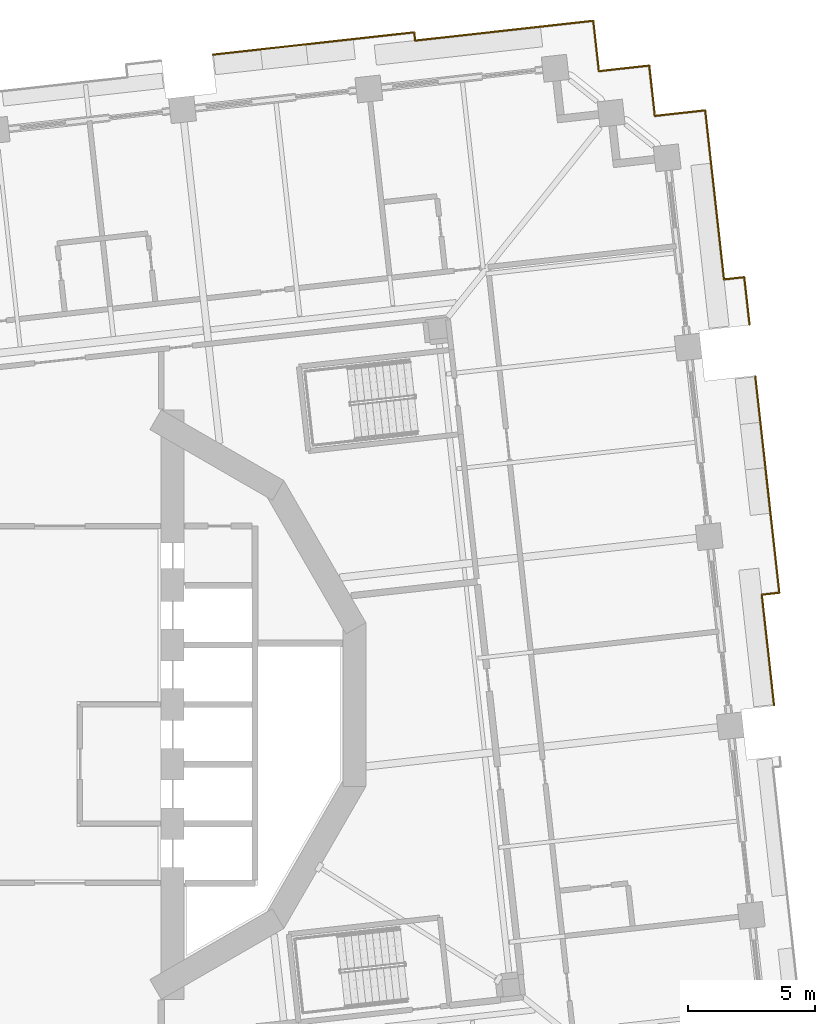
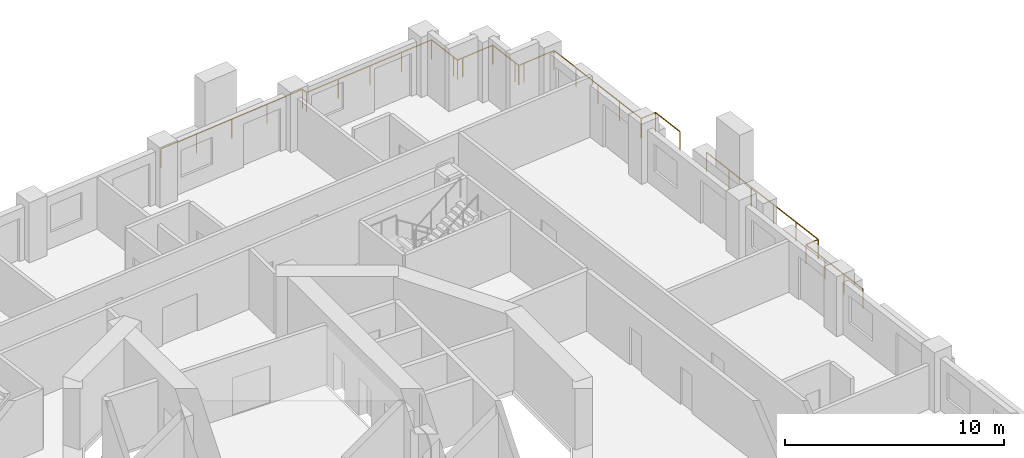
# One storey, part 20 of 21: 3 railings.
"""IFC4 building model written with IfcOpenShell, lengths in metres."""

from ifc_helpers import new_model, si_unit, direction, frame, origin, origin_2d, place, context, subcontext, project, spatial, circle, extrude, material, type_object, element, save


model = new_model("IFC4")

# Units and contexts
model_context = context("Model", 3, precision=1e-05, world=origin(), true_north=direction((0.0, 1.0)))
body_context = subcontext(model_context, "Body", "Model", "MODEL_VIEW")
ifc_project = project(units=[si_unit("LENGTHUNIT", "METRE"), si_unit("AREAUNIT", "SQUARE_METRE"), si_unit("VOLUMEUNIT", "CUBIC_METRE"), si_unit("PLANEANGLEUNIT", "RADIAN"), si_unit("MASSUNIT", "GRAM", prefix="KILO")], contexts=[model_context])

# Site, building, storey
site_placement = place(None, origin())
site = spatial("IfcSite", under=ifc_project, at=site_placement, CompositionType="ELEMENT")
building_placement = place(site_placement, origin())
building = spatial("IfcBuilding", under=site, at=building_placement, Name="Cantera Rosa Tower", CompositionType="ELEMENT")
storey_placement = place(building_placement, frame((0.0, 0.0, 80.5)))
storey = spatial("IfcBuildingStorey", under=building, at=storey_placement, Name="L17", CompositionType="ELEMENT", Elevation=80.5)

# Railings
ifc_material = material(Name="Stainless steel and laminated glass", Category="steel")
railing_type = type_object("IfcRailingType", Name="GUARD 1100", PredefinedType="BALUSTRADE", material=ifc_material)
railing_1_placement = place(storey_placement, frame((27.44482421875, 12.95654296875, 0.0)))
element("IfcRailing", 1, at=railing_1_placement, inside=storey, type_object=railing_type, Name="GUARD L17-11", PredefinedType="BALUSTRADE", context=body_context, shape_type="SweptSolid", body=[
    extrude(circle(Radius=0.030029296875, at=origin_2d()), frame((0.0, 0.0, 1.070068359375), z_axis=(0.110306840876, -0.993897580667, 0.0), x_axis=(0.993897580667, 0.110306840876, 0.0)), (0.0, 0.0, 1.0), 8.596435546875),
    extrude(circle(Radius=0.030029296875, at=origin_2d()), frame((0.9482421875, -8.5439453125, 1.070068359375), z_axis=(-0.993866597574, -0.11058565109, 0.0), x_axis=(0.11058565109, -0.993866597574, 0.0)), (0.0, 0.0, 1.0), 0.6953125),
    extrude(circle(Radius=0.030029296875, at=origin_2d()), frame((0.257080078125, -8.620849609375, 1.070068359375), z_axis=(0.110333717982, -0.993894597368, 0.0), x_axis=(0.993894597368, 0.110333717982, 0.0)), (0.0, 0.0, 1.0), 4.383544921875),
    extrude(circle(Radius=0.02490234375, at=origin_2d()), origin(), (0.0, 0.0, 1.0), 1.0400390625),
    extrude(circle(Radius=0.02490234375, at=origin_2d()), frame((0.189697265625, -1.708740234375, 0.0)), (0.0, 0.0, 1.0), 1.0400390625),
    extrude(circle(Radius=0.02490234375, at=origin_2d()), frame((0.37939453125, -3.41748046875, 0.0)), (0.0, 0.0, 1.0), 1.0400390625),
    extrude(circle(Radius=0.02490234375, at=origin_2d()), frame((0.56884765625, -5.12646484375, 0.0)), (0.0, 0.0, 1.0), 1.0400390625),
    extrude(circle(Radius=0.02490234375, at=origin_2d()), frame((0.758544921875, -6.835205078125, 0.0)), (0.0, 0.0, 1.0), 1.0400390625),
    extrude(circle(Radius=0.02490234375, at=origin_2d()), frame((0.9482421875, -8.5439453125, 0.0)), (0.0, 0.0, 1.0), 1.0400390625),
    extrude(circle(Radius=0.02490234375, at=origin_2d()), frame((0.257080078125, -8.620849609375, 0.0)), (0.0, 0.0, 1.0), 1.0400390625),
    extrude(circle(Radius=0.02490234375, at=origin_2d()), frame((0.418212890625, -10.072998046875, 0.0)), (0.0, 0.0, 1.0), 1.0400390625),
    extrude(circle(Radius=0.02490234375, at=origin_2d()), frame((0.57958984375, -11.525390625, 0.0)), (0.0, 0.0, 1.0), 1.0400390625),
    extrude(circle(Radius=0.02490234375, at=origin_2d()), frame((0.74072265625, -12.9775390625, 0.0)), (0.0, 0.0, 1.0), 1.0400390625),
])
railing_2_placement = place(storey_placement, frame((25.46826171875, 23.45263671875, 0.0)))
element("IfcRailing", 2, at=railing_2_placement, inside=storey, type_object=railing_type, Name="GUARD L17-12", PredefinedType="BALUSTRADE", context=body_context, shape_type="SweptSolid", body=[
    extrude(circle(Radius=0.030029296875, at=origin_2d()), frame((0.0, 0.0, 1.070068359375), z_axis=(0.110289669906, -0.993899486222, 0.0), x_axis=(0.993899486222, 0.110289669906, 0.0)), (0.0, 0.0, 1.0), 1.699951171875),
    extrude(circle(Radius=0.030029296875, at=origin_2d()), frame((0.1875, -1.689697265625, 1.070068359375), z_axis=(0.110346010062, -0.993893232728, 0.0), x_axis=(0.993893232728, 0.110346010062, 0.0)), (0.0, 0.0, 1.0), 5.013427734375),
    extrude(circle(Radius=0.030029296875, at=origin_2d()), frame((0.74072265625, -6.672607421875, 1.070068359375), z_axis=(0.993876348691, 0.110497979675, 0.0), x_axis=(-0.110497979675, 0.993876348691, 0.0)), (0.0, 0.0, 1.0), 0.806396484375),
    extrude(circle(Radius=0.030029296875, at=origin_2d()), frame((1.542236328125, -6.58349609375, 1.070068359375), z_axis=(0.110317298966, -0.99389641993, 0.0), x_axis=(0.99389641993, 0.110317298966, 0.0)), (0.0, 0.0, 1.0), 1.876708984375),
    extrude(circle(Radius=0.02490234375, at=origin_2d()), origin(), (0.0, 0.0, 1.0), 1.0400390625),
    extrude(circle(Radius=0.02490234375, at=origin_2d()), frame((0.1875, -1.689697265625, 0.0)), (0.0, 0.0, 1.0), 1.0400390625),
    extrude(circle(Radius=0.02490234375, at=origin_2d()), frame((0.371826171875, -3.3505859375, 0.0)), (0.0, 0.0, 1.0), 1.0400390625),
    extrude(circle(Radius=0.02490234375, at=origin_2d()), frame((0.556396484375, -5.01171875, 0.0)), (0.0, 0.0, 1.0), 1.0400390625),
    extrude(circle(Radius=0.02490234375, at=origin_2d()), frame((0.74072265625, -6.672607421875, 0.0)), (0.0, 0.0, 1.0), 1.0400390625),
    extrude(circle(Radius=0.02490234375, at=origin_2d()), frame((1.542236328125, -6.58349609375, 0.0)), (0.0, 0.0, 1.0), 1.0400390625),
    extrude(circle(Radius=0.02490234375, at=origin_2d()), frame((1.749267578125, -8.44873046875, 0.0)), (0.0, 0.0, 1.0), 1.0400390625),
])
railing_3_placement = place(storey_placement, frame((6.037353515625, 25.650634765625, 0.0)))
element("IfcRailing", 3, at=railing_3_placement, inside=storey, type_object=railing_type, Name="GUARD L17-13", PredefinedType="BALUSTRADE", context=body_context, shape_type="SweptSolid", body=[
    extrude(circle(Radius=0.030029296875, at=origin_2d()), frame((0.0, 0.0, 1.070068359375), z_axis=(0.993896384884, 0.11031761471, 0.0), x_axis=(-0.11031761471, 0.993896384884, 0.0)), (0.0, 0.0, 1.0), 7.998046875),
    extrude(circle(Radius=0.030029296875, at=origin_2d()), frame((7.94921875, 0.88232421875, 1.070068359375), z_axis=(0.110839749591, -0.99383829163, 0.0), x_axis=(0.99383829163, 0.110839749591, 0.0)), (0.0, 0.0, 1.0), 0.328125),
    extrude(circle(Radius=0.030029296875, at=origin_2d()), frame((7.985595703125, 0.55615234375, 1.070068359375), z_axis=(0.993897583515, 0.110306815218, 0.0), x_axis=(-0.110306815218, 0.993897583515, 0.0)), (0.0, 0.0, 1.0), 5.37158203125),
    extrude(circle(Radius=0.030029296875, at=origin_2d()), frame((13.324462890625, 1.148681640625, 1.070068359375), z_axis=(0.993883734674, 0.110431526075, 0.0), x_axis=(-0.110431526075, 0.993883734674, 0.0)), (0.0, 0.0, 1.0), 1.7001953125),
    extrude(circle(Radius=0.030029296875, at=origin_2d()), frame((15.01416015625, 1.33642578125, 1.070068359375), z_axis=(0.110289669906, -0.993899486222, 0.0), x_axis=(0.993899486222, 0.110289669906, 0.0)), (0.0, 0.0, 1.0), 1.699951171875),
    extrude(circle(Radius=0.030029296875, at=origin_2d()), frame((15.20166015625, -0.353271484375, 1.070068359375), z_axis=(0.110699535641, -0.99385391925, 0.0), x_axis=(0.99385391925, 0.110699535641, 0.0)), (0.0, 0.0, 1.0), 0.300048828125),
    extrude(circle(Radius=0.030029296875, at=origin_2d()), frame((15.23486328125, -0.6513671875, 1.070068359375), z_axis=(0.993943154022, 0.10989543472, 0.0), x_axis=(-0.10989543472, 0.993943154022, 0.0)), (0.0, 0.0, 1.0), 0.2998046875),
    extrude(circle(Radius=0.030029296875, at=origin_2d()), frame((15.532958984375, -0.618408203125, 1.070068359375), z_axis=(0.993899486222, 0.110289669906, 0.0), x_axis=(-0.110289669906, 0.993899486222, 0.0)), (0.0, 0.0, 1.0), 1.699951171875),
    extrude(circle(Radius=0.030029296875, at=origin_2d()), frame((17.22265625, -0.430908203125, 1.070068359375), z_axis=(0.110305413813, -0.993897739047, 0.0), x_axis=(0.993897739047, 0.110305413813, 0.0)), (0.0, 0.0, 1.0), 1.69970703125),
    extrude(circle(Radius=0.030029296875, at=origin_2d()), frame((17.41015625, -2.120361328125, 1.070068359375), z_axis=(0.1098065887, -0.993952973273, 0.0), x_axis=(0.993952973273, 0.1098065887, 0.0)), (0.0, 0.0, 1.0), 0.300048828125),
    extrude(circle(Radius=0.030029296875, at=origin_2d()), frame((17.443115234375, -2.418701171875, 1.070068359375), z_axis=(0.993863881828, 0.110610055588, 0.0), x_axis=(-0.110610055588, 0.993863881828, 0.0)), (0.0, 0.0, 1.0), 0.30029296875),
    extrude(circle(Radius=0.030029296875, at=origin_2d()), frame((17.741455078125, -2.385498046875, 1.070068359375), z_axis=(0.993897739047, 0.110305413813, 0.0), x_axis=(-0.110305413813, 0.993897739047, 0.0)), (0.0, 0.0, 1.0), 1.69970703125),
    extrude(circle(Radius=0.02490234375, at=origin_2d()), origin(), (0.0, 0.0, 1.0), 1.0400390625),
    extrude(circle(Radius=0.02490234375, at=origin_2d()), frame((1.9873046875, 0.220703125, 0.0)), (0.0, 0.0, 1.0), 1.0400390625),
    extrude(circle(Radius=0.02490234375, at=origin_2d()), frame((3.974609375, 0.441162109375, 0.0)), (0.0, 0.0, 1.0), 1.0400390625),
    extrude(circle(Radius=0.02490234375, at=origin_2d()), frame((5.9619140625, 0.66162109375, 0.0)), (0.0, 0.0, 1.0), 1.0400390625),
    extrude(circle(Radius=0.02490234375, at=origin_2d()), frame((7.94921875, 0.88232421875, 0.0)), (0.0, 0.0, 1.0), 1.0400390625),
    extrude(circle(Radius=0.02490234375, at=origin_2d()), frame((7.985595703125, 0.55615234375, 0.0)), (0.0, 0.0, 1.0), 1.0400390625),
    extrude(circle(Radius=0.02490234375, at=origin_2d()), frame((9.76513671875, 0.753662109375, 0.0)), (0.0, 0.0, 1.0), 1.0400390625),
    extrude(circle(Radius=0.02490234375, at=origin_2d()), frame((11.544921875, 0.951171875, 0.0)), (0.0, 0.0, 1.0), 1.0400390625),
    extrude(circle(Radius=0.02490234375, at=origin_2d()), frame((13.324462890625, 1.148681640625, 0.0)), (0.0, 0.0, 1.0), 1.0400390625),
    extrude(circle(Radius=0.02490234375, at=origin_2d()), frame((15.01416015625, 1.33642578125, 0.0)), (0.0, 0.0, 1.0), 1.0400390625),
    extrude(circle(Radius=0.02490234375, at=origin_2d()), frame((15.20166015625, -0.353271484375, 0.0)), (0.0, 0.0, 1.0), 1.0400390625),
    extrude(circle(Radius=0.02490234375, at=origin_2d()), frame((15.23486328125, -0.6513671875, 0.0)), (0.0, 0.0, 1.0), 1.0400390625),
    extrude(circle(Radius=0.02490234375, at=origin_2d()), frame((15.532958984375, -0.618408203125, 0.0)), (0.0, 0.0, 1.0), 1.0400390625),
    extrude(circle(Radius=0.02490234375, at=origin_2d()), frame((17.22265625, -0.430908203125, 0.0)), (0.0, 0.0, 1.0), 1.0400390625),
    extrude(circle(Radius=0.02490234375, at=origin_2d()), frame((17.41015625, -2.120361328125, 0.0)), (0.0, 0.0, 1.0), 1.0400390625),
    extrude(circle(Radius=0.02490234375, at=origin_2d()), frame((17.443115234375, -2.418701171875, 0.0)), (0.0, 0.0, 1.0), 1.0400390625),
    extrude(circle(Radius=0.02490234375, at=origin_2d()), frame((17.741455078125, -2.385498046875, 0.0)), (0.0, 0.0, 1.0), 1.0400390625),
    extrude(circle(Radius=0.02490234375, at=origin_2d()), frame((19.430908203125, -2.197998046875, 0.0)), (0.0, 0.0, 1.0), 1.0400390625),
])

save(model, "model.ifc")
